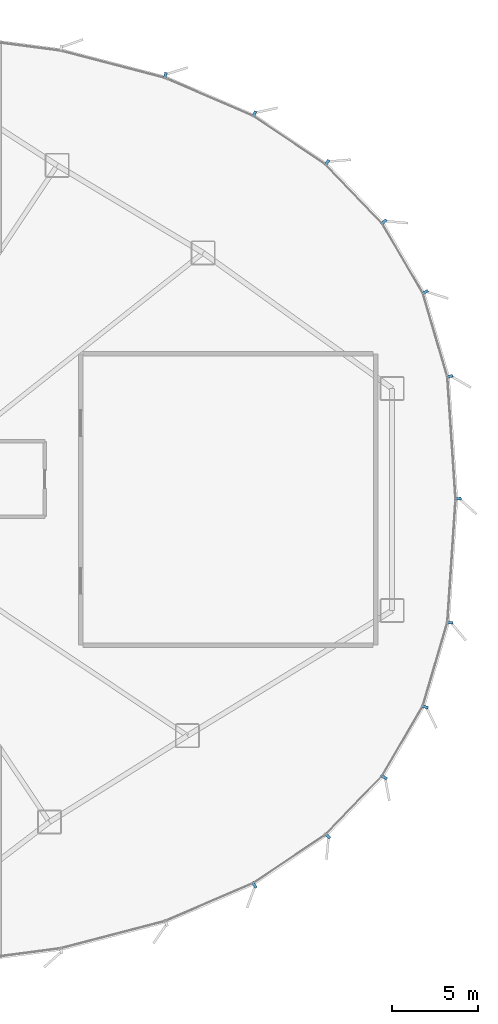
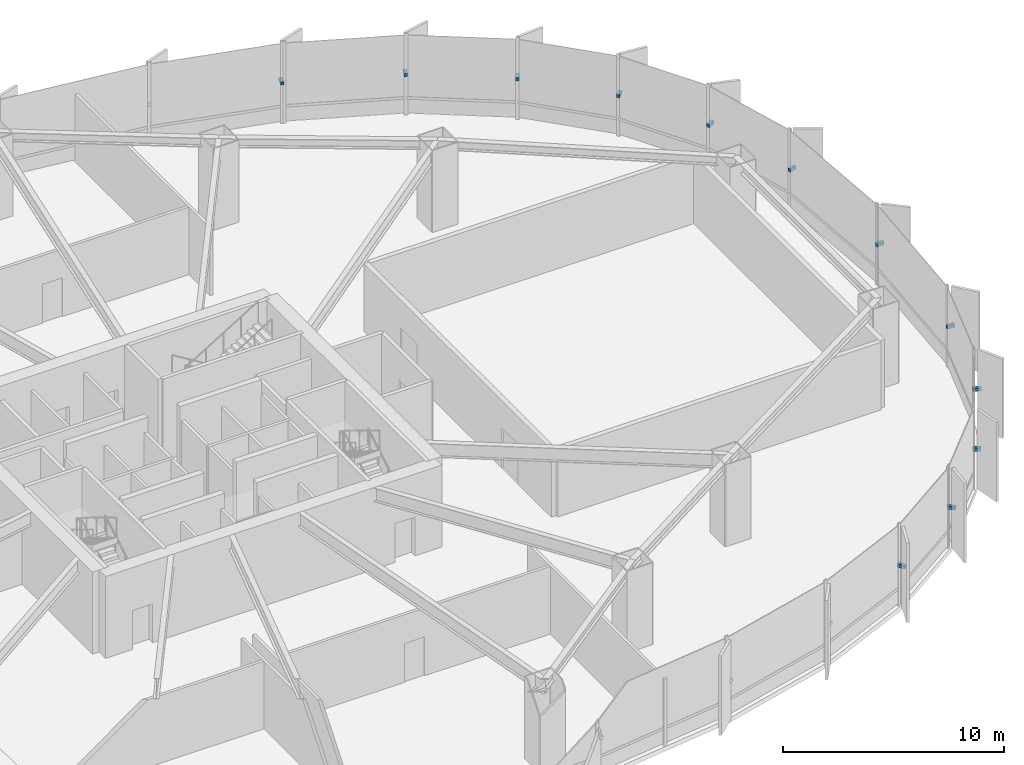
# One storey, part 27 of 33: 12 discrete accessories.
"""IFC4 building model written with IfcOpenShell, lengths in metres."""

from ifc_helpers import new_model, si_unit, direction, frame, origin, origin_2d, place, context, subcontext, project, spatial, rectangle, extrude, source, transform, mapped, material, type_object, element, save


model = new_model("IFC4")

# Units and contexts
model_context = context("Model", 3, precision=1e-05, world=origin(), true_north=direction((0.0, 1.0)))
body_context = subcontext(model_context, "Body", "Model", "MODEL_VIEW")
ifc_project = project(units=[si_unit("LENGTHUNIT", "METRE"), si_unit("AREAUNIT", "SQUARE_METRE"), si_unit("VOLUMEUNIT", "CUBIC_METRE"), si_unit("PLANEANGLEUNIT", "RADIAN"), si_unit("MASSUNIT", "GRAM", prefix="KILO"), si_unit("THERMODYNAMICTEMPERATUREUNIT", "KELVIN")], contexts=[model_context])

# Site, building, storey
site_placement = place(None, origin())
site = spatial("IfcSite", under=ifc_project, at=site_placement, CompositionType="ELEMENT")
building_placement = place(site_placement, origin())
building = spatial("IfcBuilding", under=site, at=building_placement, Name="Kethvar Cultural Tower", CompositionType="ELEMENT")
storey_placement = place(building_placement, frame((0.0, 0.0, 10.0)))
storey = spatial("IfcBuildingStorey", under=building, at=storey_placement, Name="L02", CompositionType="ELEMENT", Elevation=10.0)

# Discrete accessories
ifc_material = material(Name="Steel S355J2", Category="steel")
discrete_accessory_type = type_object("IfcDiscreteAccessoryType", Name="Steel Fin Bracket BRK-01", PredefinedType="BRACKET", material=ifc_material)
shared_shape = source(origin(), body_context, "Body", "SweptSolid", [
    extrude(rectangle(XDim=0.3798828125, YDim=0.159912109375, at=origin_2d()), origin(), (0.0, 0.0, 1.0), 0.179931640625),
])
for number, where, z_axis, x_axis, name in (
    (1, (83.206787109375, 27.849365234375, 2.1298828125), (0.0, 0.0, 1.0), (0.997754957227, 0.066970481029, 0.0), "L02 Terracotta Fin Bracket 1.1"),
    (2, (82.727294921875, 34.9814453125, 2.1298828125), (0.0, 0.0, 1.0), (0.959510852267, 0.281671660596, 0.0), "L02 Terracotta Fin Bracket 1.2"),
    (3, (81.28369140625, 39.896728515625, 2.1298828125), (0.0, 0.0, 1.0), (0.864011302865, 0.503472410885, 0.0), "L02 Terracotta Fin Bracket 1.3"),
    (4, (78.8916015625, 44.000732421875, 2.1298828125), (0.0, 0.0, 1.0), (0.72055111168, 0.693401828276, 0.0), "L02 Terracotta Fin Bracket 1.4"),
    (5, (75.568603515625, 47.4541015625, 2.1298828125), (0.0, 0.0, 1.0), (0.556585649903, 0.83079023485, 0.0), "L02 Terracotta Fin Bracket 1.5"),
    (6, (71.330322265625, 50.293212890625, 2.1298828125), (0.0, 0.0, 1.0), (0.396346847517, 0.9181008531, 0.0), "L02 Terracotta Fin Bracket 1.6"),
    (7, (66.128662109375, 52.531005859375, 2.1298828125), (0.0, 0.0, 1.0), (0.253082602519, 0.96744467351, 0.0), "L02 Terracotta Fin Bracket 2.1"),
    (8, (71.331787109375, 5.3076171875, 2.1298828125), (0.0, 0.0, 1.0), (0.556585649903, -0.83079023485, 0.0), "L02 Terracotta Fin Bracket 5.6"),
    (9, (75.60400390625, 8.182373046875, 2.1298828125), (0.0, 0.0, 1.0), (0.72055111168, -0.693401828276, 0.0), "L02 Terracotta Fin Bracket 6.1"),
    (10, (78.893310546875, 11.601318359375, 2.1298828125), (0.0, 0.0, 1.0), (0.864011302865, -0.503472410885, 0.0), "L02 Terracotta Fin Bracket 6.2"),
    (11, (81.28466796875, 15.70556640625, 2.1298828125), (0.0, 0.0, 1.0), (0.959510852267, -0.281671660596, 0.0), "L02 Terracotta Fin Bracket 6.3"),
    (12, (82.727783203125, 20.62060546875, 2.1298828125), (0.0, 0.0, 1.0), (0.997754957227, -0.066970481029, 0.0), "L02 Terracotta Fin Bracket 6.4"),
):
    element("IfcDiscreteAccessory", number, at=place(storey_placement, frame(where, z_axis=z_axis, x_axis=x_axis)), inside=storey, type_object=discrete_accessory_type, Name=name, PredefinedType="BRACKET", context=body_context, shape_type="MappedRepresentation", body=[
        mapped(shared_shape, transform((0.0, 0.0, 0.0), scale=1.0)),
    ])

save(model, "model.ifc")
